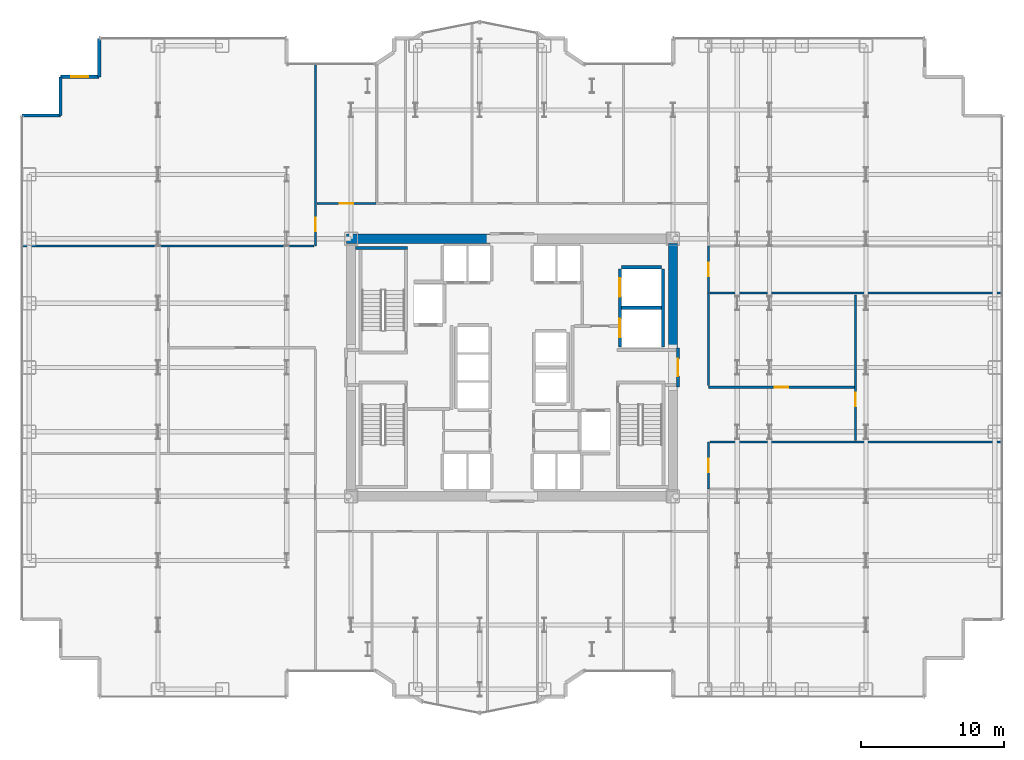
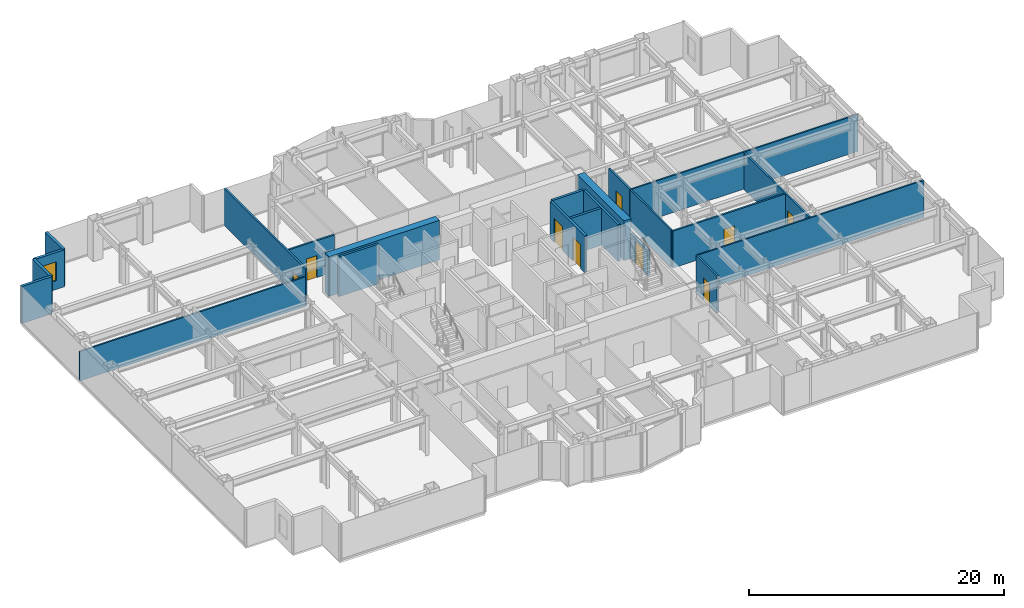
# One storey, part 23 of 26: 22 walls, 9 doors, 1 window, 10 openings.
"""IFC4 building model written with IfcOpenShell, lengths in metres."""

from ifc_helpers import new_model, si_unit, direction, frame, frame_2d, origin, place, context, subcontext, project, spatial, rectangle, extrude, source, transform, mapped, material, layer, layer_set, type_object, element, fill, save


model = new_model("IFC4")

# Units and contexts
model_context = context("Model", 3, precision=1e-05, world=origin(), true_north=direction((0.0, 1.0)))
body_context = subcontext(model_context, "Body", "Model", "MODEL_VIEW")
ifc_project = project(units=[si_unit("LENGTHUNIT", "METRE"), si_unit("AREAUNIT", "SQUARE_METRE"), si_unit("VOLUMEUNIT", "CUBIC_METRE"), si_unit("PLANEANGLEUNIT", "RADIAN"), si_unit("MASSUNIT", "GRAM", prefix="KILO")], contexts=[model_context])

# Site, building, storey
site_placement = place(None, origin())
site = spatial("IfcSite", under=ifc_project, at=site_placement, CompositionType="ELEMENT")
building_placement = place(site_placement, origin())
building = spatial("IfcBuilding", under=site, at=building_placement, Name="Nefas-Gora Pilgrimage Tower", CompositionType="ELEMENT")
storey_placement = place(building_placement, frame((0.0, 0.0, 59.60009765625)))
storey = spatial("IfcBuildingStorey", under=building, at=storey_placement, Name="L13", CompositionType="ELEMENT", Elevation=59.60009765625)

# Walls
ifc_material_1 = material(Name="Concrete C60/75", Category="concrete")
ifc_layer_1 = layer(ifc_material_1, 0.64990234375)
ifc_layer_set_1 = layer_set([ifc_layer_1], Name="Concrete C60/75")
wall_type_1 = type_object("IfcWallType", Name="SW-CORE-650", PredefinedType="SHEAR", material=ifc_layer_set_1)
shared_shape_1 = source(origin(), body_context, "Body", "SweptSolid", [
    extrude(rectangle(XDim=10.02490234375, YDim=0.64990234375, at=frame_2d((5.012451171875, 0.0))), origin(), (0.0, 0.0, 1.0), 3.7998046875),
])
wall_1_placement = place(storey_placement, frame((-11.574951171875, 9.0, 0.0), z_axis=(0.0, 0.0, 1.0), x_axis=(1.0, 0.0, 0.0)))
element("IfcWall", 1, at=wall_1_placement, inside=storey, type_object=wall_type_1, Name="L13 Core Shear Wall N-West", PredefinedType="SHEAR", context=body_context, shape_type="MappedRepresentation", body=[
    mapped(shared_shape_1, transform((0.0, 0.0, 0.0), x_axis=(1.0, 0.0, 0.0), y_axis=(0.0, 1.0, 0.0), z_axis=(0.0, 0.0, 1.0), scale=1.0)),
])
shared_shape_2 = source(origin(), body_context, "Body", "SweptSolid", [
    extrude(rectangle(XDim=7.324951171875, YDim=0.64990234375, at=frame_2d((3.66259765625, 0.0))), origin(), (0.0, 0.0, 1.0), 3.7998046875),
])
wall_2_placement = place(storey_placement, frame((11.25, 1.35009765625, 0.0), z_axis=(0.0, 0.0, 1.0), x_axis=(0.0, 1.0, 0.0)))
element("IfcWall", 2, at=wall_2_placement, inside=storey, type_object=wall_type_1, Name="L13 Core Shear Wall E-North", PredefinedType="SHEAR", context=body_context, shape_type="MappedRepresentation", body=[
    mapped(shared_shape_2, transform((0.0, 0.0, 0.0), x_axis=(1.0, 0.0, 0.0), y_axis=(0.0, 1.0, 0.0), z_axis=(0.0, 0.0, 1.0), scale=1.0)),
])
ifc_material_2 = material(Name="Precast concrete C45/55", Category="concrete")
ifc_layer_2 = layer(ifc_material_2, 0.239990234375)
ifc_layer_set_2 = layer_set([ifc_layer_2], Name="Precast concrete C45/55")
wall_type_2 = type_object("IfcWallType", Name="EW-SERR-240", PredefinedType="SHEAR", material=ifc_layer_set_2)
shared_shape_3 = source(origin(), body_context, "Body", "SweptSolid", [
    extrude(rectangle(XDim=2.699951171875, YDim=0.239990234375, at=frame_2d((1.35009765625, 0.0))), origin(), (0.0, 0.0, 1.0), 3.5498046875),
])
wall_3_placement = place(storey_placement, frame((-28.8701171875, 23.02001953125, 0.0), z_axis=(0.0, 0.0, 1.0), x_axis=(0.0, -1.0, 0.0)))
element("IfcWall", 3, at=wall_3_placement, inside=storey, type_object=wall_type_2, Name="L13 Serrated Corner Shear Pier Wall 20", PredefinedType="SHEAR", context=body_context, shape_type="MappedRepresentation", body=[
    mapped(shared_shape_3, transform((0.0, 0.0, 0.0), x_axis=(1.0, 0.0, 0.0), y_axis=(0.0, 1.0, 0.0), z_axis=(0.0, 0.0, 1.0), scale=1.0)),
])

# Wall, opening, window
wall_4_placement = place(storey_placement, frame((-28.8701171875, 20.320068359375, 0.0), z_axis=(0.0, 0.0, 1.0), x_axis=(-1.0, 0.0, 0.0)))
wall_4 = element("IfcWall", 4, at=wall_4_placement, inside=storey, type_object=wall_type_2, Name="L13 Serrated Corner Shear Pier Wall 21", PredefinedType="SHEAR", context=body_context, shape_type="MappedRepresentation", body=[
    mapped(shared_shape_3, transform((0.0, 0.0, 0.0), x_axis=(1.0, 0.0, 0.0), y_axis=(0.0, 1.0, 0.0), z_axis=(0.0, 0.0, 1.0), scale=1.0)),
])
opening_1_placement = place(wall_4_placement, frame((0.75, 0.0, 0.85009765625)))
opening_1 = element("IfcOpeningElement", 5, at=opening_1_placement, cuts=wall_4, Name="Opening W-V1", PredefinedType="OPENING", context=body_context, shape_type="SweptSolid", body=[
    extrude(rectangle(XDim=1.199951171875, YDim=1.800048828125, at=frame_2d((0.60009765625, 0.89990234375))), frame((0.0, 0.1298828125, 0.0), z_axis=(0.0, -1.0, 0.0), x_axis=(1.0, 0.0, 0.0)), (0.0, 0.0, 1.0), 0.260009765625),
])
ifc_material_3 = material(Name="Dark ceramic-fritted operable aluminium-glass window", Category="aluminium")
window_type = type_object("IfcWindowType", Name="WIN-VENT-1200x1800", PartitioningType="SINGLE_PANEL", PredefinedType="WINDOW", material=ifc_material_3)
shared_shape_4 = source(origin(), body_context, "Body", "SweptSolid", [
    extrude(rectangle(XDim=1.199951171875, YDim=1.800048828125, at=frame_2d((0.60009765625, 0.89990234375))), frame((0.0, 0.030029296875, 0.0), z_axis=(0.0, -1.0, 0.0), x_axis=(1.0, 0.0, 0.0)), (0.0, 0.0, 1.0), 0.06005859375),
])
window_placement = place(opening_1_placement, origin())
window = element("IfcWindow", 6, at=window_placement, inside=storey, type_object=window_type, Name="L13 Operable Parallel-Outswing Window 21", OverallHeight=1.800048828125, OverallWidth=1.199951171875, PartitioningType="SINGLE_PANEL", PredefinedType="WINDOW", context=body_context, shape_type="MappedRepresentation", body=[
    mapped(shared_shape_4, transform((0.0, 0.0, 0.0), x_axis=(1.0, 0.0, 0.0), y_axis=(0.0, 1.0, 0.0), z_axis=(0.0, 0.0, 1.0), scale=1.0)),
])
fill(opening_1, window)

# Walls
for number, where, z_axis, x_axis, name in (
    (7, (-31.570068359375, 20.320068359375, 0.0), (0.0, 0.0, 1.0), (0.0, -1.0, 0.0), "L13 Serrated Corner Shear Pier Wall 22"),
    (8, (-31.570068359375, 17.6201171875, 0.0), (0.0, 0.0, 1.0), (-1.0, 0.0, 0.0), "L13 Serrated Corner Shear Pier Wall 23"),
):
    element("IfcWall", number, at=place(storey_placement, frame(where, z_axis=z_axis, x_axis=x_axis)), inside=storey, type_object=wall_type_2, Name=name, PredefinedType="SHEAR", context=body_context, shape_type="MappedRepresentation", body=[
        mapped(shared_shape_3, transform((0.0, 0.0, 0.0), x_axis=(1.0, 0.0, 0.0), y_axis=(0.0, 1.0, 0.0), z_axis=(0.0, 0.0, 1.0), scale=1.0)),
    ])
ifc_material_4 = material(Name="Concrete C45/55", Category="concrete")
ifc_layer_3 = layer(ifc_material_4, 0.199951171875)
ifc_layer_set_3 = layer_set([ifc_layer_3], Name="Concrete C45/55")
wall_type_3 = type_object("IfcWallType", Name="IW-STAIR-200", PredefinedType="SOLIDWALL", material=ifc_layer_set_3)
shared_shape_5 = source(origin(), body_context, "Body", "SweptSolid", [
    extrude(rectangle(XDim=3.6298828125, YDim=0.199951171875, at=frame_2d((1.81494140625, 0.0))), origin(), (0.0, 0.0, 1.0), 3.7998046875),
])
wall_5_placement = place(storey_placement, frame((-7.300048828125, 8.35009765625, 0.0), z_axis=(0.0, 0.0, 1.0), x_axis=(-1.0, 0.0, 0.0)))
element("IfcWall", 9, at=wall_5_placement, inside=storey, type_object=wall_type_3, Name="L13 Stairwell Shear Wall ST-01-far", PredefinedType="SOLIDWALL", context=body_context, shape_type="MappedRepresentation", body=[
    mapped(shared_shape_5, transform((0.0, 0.0, 0.0), x_axis=(1.0, 0.0, 0.0), y_axis=(0.0, 1.0, 0.0), z_axis=(0.0, 0.0, 1.0), scale=1.0)),
])

# Wall, openings, doors
ifc_material_5 = material(Name="Concrete C40/50", Category="concrete")
ifc_layer_4 = layer(ifc_material_5, 0.219970703125)
ifc_layer_set_4 = layer_set([ifc_layer_4], Name="Concrete C40/50")
wall_type_4 = type_object("IfcWallType", Name="IW-SHAFT-220", PredefinedType="SOLIDWALL", material=ifc_layer_set_4)
shared_shape_6 = source(origin(), body_context, "Body", "SweptSolid", [
    extrude(rectangle(XDim=5.449951171875, YDim=0.219970703125, at=frame_2d((2.72509765625, 0.0))), origin(), (0.0, 0.0, 1.0), 3.534912109375),
])
wall_6_placement = place(storey_placement, frame((7.5400390625, 6.89990234375, 0.0), z_axis=(0.0, 0.0, 1.0), x_axis=(0.0, -1.0, 0.0)))
wall_6 = element("IfcWall", 10, at=wall_6_placement, inside=storey, type_object=wall_type_4, Name="L13 Hoistway Wall SL-01-02-W", PredefinedType="SOLIDWALL", context=body_context, shape_type="MappedRepresentation", body=[
    mapped(shared_shape_6, transform((0.0, 0.0, 0.0), x_axis=(1.0, 0.0, 0.0), y_axis=(0.0, 1.0, 0.0), z_axis=(0.0, 0.0, 1.0), scale=1.0)),
])
opening_2_placement = place(wall_6_placement, frame((3.5, 0.0, 0.0)))
opening_2 = element("IfcOpeningElement", 11, at=opening_2_placement, cuts=wall_6, Name="Opening LD-SV", PredefinedType="OPENING", context=body_context, shape_type="SweptSolid", body=[
    extrude(rectangle(XDim=1.300048828125, YDim=2.300048828125, at=frame_2d((0.64990234375, 1.14990234375))), frame((0.0, 0.119873046875, 0.0), z_axis=(0.0, -1.0, 0.0), x_axis=(1.0, 0.0, 0.0)), (0.0, 0.0, 1.0), 0.239990234375),
])
opening_3_placement = place(wall_6_placement, frame((0.64990234375, 0.0, 0.0)))
opening_3 = element("IfcOpeningElement", 12, at=opening_3_placement, cuts=wall_6, Name="Opening LD-SV", PredefinedType="OPENING", context=body_context, shape_type="SweptSolid", body=[
    extrude(rectangle(XDim=1.300048828125, YDim=2.300048828125, at=frame_2d((0.64990234375, 1.14990234375))), frame((0.0, 0.119873046875, 0.0), z_axis=(0.0, -1.0, 0.0), x_axis=(1.0, 0.0, 0.0)), (0.0, 0.0, 1.0), 0.239990234375),
])
ifc_material_6 = material(Name="Heavy goods sliding lift landing door")
door_type_1 = type_object("IfcDoorType", Name="DR-LIFT-SERV-1300", OperationType="SLIDING_TO_RIGHT", PredefinedType="DOOR", material=ifc_material_6)
shared_shape_7 = source(origin(), body_context, "Body", "SweptSolid", [
    extrude(rectangle(XDim=1.300048828125, YDim=2.300048828125, at=frame_2d((0.64990234375, 1.14990234375))), frame((0.0, 0.02490234375, 0.0), z_axis=(0.0, -1.0, 0.0), x_axis=(1.0, 0.0, 0.0)), (0.0, 0.0, 1.0), 0.050048828125),
])
door_1_placement = place(opening_2_placement, origin())
door_1 = element("IfcDoor", 13, at=door_1_placement, inside=storey, type_object=door_type_1, Name="L13 Sliding Lift Landing Door SL-01", OperationType="SLIDING_TO_RIGHT", OverallHeight=2.300048828125, OverallWidth=1.300048828125, PredefinedType="DOOR", context=body_context, shape_type="MappedRepresentation", body=[
    mapped(shared_shape_7, transform((0.0, 0.0, 0.0), x_axis=(1.0, 0.0, 0.0), y_axis=(0.0, 1.0, 0.0), z_axis=(0.0, 0.0, 1.0), scale=1.0)),
])
fill(opening_2, door_1)
door_2_placement = place(opening_3_placement, origin())
door_2 = element("IfcDoor", 14, at=door_2_placement, inside=storey, type_object=door_type_1, Name="L13 Sliding Lift Landing Door SL-02", OperationType="SLIDING_TO_RIGHT", OverallHeight=2.300048828125, OverallWidth=1.300048828125, PredefinedType="DOOR", context=body_context, shape_type="MappedRepresentation", body=[
    mapped(shared_shape_7, transform((0.0, 0.0, 0.0), x_axis=(1.0, 0.0, 0.0), y_axis=(0.0, 1.0, 0.0), z_axis=(0.0, 0.0, 1.0), scale=1.0)),
])
fill(opening_3, door_2)

# Walls
wall_7_placement = place(storey_placement, frame((10.56005859375, 1.449951171875, 0.0), z_axis=(0.0, 0.0, 1.0), x_axis=(0.0, 1.0, 0.0)))
element("IfcWall", 15, at=wall_7_placement, inside=storey, type_object=wall_type_4, Name="L13 Hoistway Wall SL-01-02-E", PredefinedType="SOLIDWALL", context=body_context, shape_type="MappedRepresentation", body=[
    mapped(shared_shape_6, transform((0.0, 0.0, 0.0), x_axis=(1.0, 0.0, 0.0), y_axis=(0.0, 1.0, 0.0), z_axis=(0.0, 0.0, 1.0), scale=1.0)),
])
shared_shape_8 = source(origin(), body_context, "Body", "SweptSolid", [
    extrude(rectangle(XDim=2.780029296875, YDim=0.219970703125, at=frame_2d((1.39013671875, 0.0))), origin(), (0.0, 0.0, 1.0), 3.534912109375),
])
for number, where, z_axis, x_axis, name in (
    (16, (7.659912109375, 4.175048828125, 0.0), (0.0, 0.0, 1.0), (1.0, 0.0, 0.0), "L13 Hoistway Wall SL-01-02-DIV"),
    (17, (10.43994140625, 7.010009765625, 0.0), (0.0, 0.0, 1.0), (-1.0, 0.0, 0.0), "L13 Hoistway Wall SL-02-N"),
):
    element("IfcWall", number, at=place(storey_placement, frame(where, z_axis=z_axis, x_axis=x_axis)), inside=storey, type_object=wall_type_4, Name=name, PredefinedType="SOLIDWALL", context=body_context, shape_type="MappedRepresentation", body=[
        mapped(shared_shape_8, transform((0.0, 0.0, 0.0), x_axis=(1.0, 0.0, 0.0), y_axis=(0.0, 1.0, 0.0), z_axis=(0.0, 0.0, 1.0), scale=1.0)),
    ])

# Wall, opening, door
ifc_material_7 = material(Name="Gypsum acoustic stud partition")
ifc_layer_5 = layer(ifc_material_7, 0.159912109375)
ifc_layer_set_5 = layer_set([ifc_layer_5], Name="Gypsum acoustic stud partition")
wall_type_5 = type_object("IfcWallType", Name="IW-CORR-160", PredefinedType="PARTITIONING", material=ifc_layer_set_5)
shared_shape_9 = source(origin(), body_context, "Body", "SweptSolid", [
    extrude(rectangle(XDim=10.25, YDim=0.159912109375, at=frame_2d((5.125, 0.0))), origin(), (0.0, 0.0, 1.0), 3.534912109375),
])
wall_8_placement = place(storey_placement, frame((13.72998046875, -1.3798828125, 0.0), z_axis=(0.0, 0.0, 1.0), x_axis=(1.0, 0.0, 0.0)))
wall_8 = element("IfcWall", 18, at=wall_8_placement, inside=storey, type_object=wall_type_5, Name="L13 Pilgrim Contemplative Lounge Partition Wall 39", PredefinedType="PARTITIONING", context=body_context, shape_type="MappedRepresentation", body=[
    mapped(shared_shape_9, transform((0.0, 0.0, 0.0), x_axis=(1.0, 0.0, 0.0), y_axis=(0.0, 1.0, 0.0), z_axis=(0.0, 0.0, 1.0), scale=1.0)),
])
opening_4_placement = place(wall_8_placement, frame((4.64990234375, 0.0, 0.0)))
opening_4 = element("IfcOpeningElement", 19, at=opening_4_placement, cuts=wall_8, Name="Opening ID-GR1", PredefinedType="OPENING", context=body_context, shape_type="SweptSolid", body=[
    extrude(rectangle(XDim=0.949951171875, YDim=2.10009765625, at=frame_2d((0.47509765625, 1.050048828125))), frame((0.0, 0.08984375, 0.0), z_axis=(0.0, -1.0, 0.0), x_axis=(1.0, 0.0, 0.0)), (0.0, 0.0, 1.0), 0.179931640625),
])
ifc_material_8 = material(Name="Solid core oak fire-rated guest entrance door")
door_type_2 = type_object("IfcDoorType", Name="DR-INT-GUEST-950", OperationType="NOTDEFINED", PredefinedType="DOOR", material=ifc_material_8)
shared_shape_10 = source(origin(), body_context, "Body", "SweptSolid", [
    extrude(rectangle(XDim=0.949951171875, YDim=2.10009765625, at=frame_2d((0.47509765625, 1.050048828125))), frame((0.0, 0.02490234375, 0.0), z_axis=(0.0, -1.0, 0.0), x_axis=(1.0, 0.0, 0.0)), (0.0, 0.0, 1.0), 0.050048828125),
])
door_3_placement = place(opening_4_placement, origin())
door_3 = element("IfcDoor", 20, at=door_3_placement, inside=storey, type_object=door_type_2, Name="L13 Pilgrim Contemplative Lounge Door 17", OperationType="SINGLE_SWING_LEFT", OverallHeight=2.10009765625, OverallWidth=0.949951171875, PredefinedType="DOOR", context=body_context, shape_type="MappedRepresentation", body=[
    mapped(shared_shape_10, transform((0.0, 0.0, 0.0), x_axis=(1.0, 0.0, 0.0), y_axis=(0.0, 1.0, 0.0), z_axis=(0.0, 0.0, 1.0), scale=1.0)),
])
fill(opening_4, door_3)

# Wall
ifc_material_9 = material(Name="Gypsum twin-stud partition")
ifc_layer_6 = layer(ifc_material_9, 0.139892578125)
ifc_layer_set_6 = layer_set([ifc_layer_6], Name="Gypsum twin-stud partition")
wall_type_6 = type_object("IfcWallType", Name="IW-UNIT-140", PredefinedType="PARTITIONING", material=ifc_layer_set_6)
shared_shape_11 = source(origin(), body_context, "Body", "SweptSolid", [
    extrude(rectangle(XDim=6.465087890625, YDim=0.139892578125, at=frame_2d((3.232421875, 0.0))), origin(), (0.0, 0.0, 1.0), 3.534912109375),
])
wall_9_placement = place(storey_placement, frame((13.739990234375, -1.260009765625, 0.0), z_axis=(0.0, 0.0, 1.0), x_axis=(0.0, 1.0, 0.0)))
element("IfcWall", 21, at=wall_9_placement, inside=storey, type_object=wall_type_6, Name="L13 Pilgrim Contemplative Lounge Partition Wall 40", PredefinedType="PARTITIONING", context=body_context, shape_type="MappedRepresentation", body=[
    mapped(shared_shape_11, transform((0.0, 0.0, 0.0), x_axis=(1.0, 0.0, 0.0), y_axis=(0.0, 1.0, 0.0), z_axis=(0.0, 0.0, 1.0), scale=1.0)),
])

# Wall, opening, door
shared_shape_12 = source(origin(), body_context, "Body", "SweptSolid", [
    extrude(rectangle(XDim=4.125, YDim=0.159912109375, at=frame_2d((2.0625, 0.0))), origin(), (0.0, 0.0, 1.0), 3.534912109375),
])
wall_10_placement = place(storey_placement, frame((-13.6201171875, 11.469970703125, 0.0), z_axis=(0.0, 0.0, 1.0), x_axis=(1.0, 0.0, 0.0)))
wall_10 = element("IfcWall", 22, at=wall_10_placement, inside=storey, type_object=wall_type_5, Name="L13 Pilgrim Contemplative Lounge Partition Wall 46", PredefinedType="PARTITIONING", context=body_context, shape_type="MappedRepresentation", body=[
    mapped(shared_shape_12, transform((0.0, 0.0, 0.0), x_axis=(1.0, 0.0, 0.0), y_axis=(0.0, 1.0, 0.0), z_axis=(0.0, 0.0, 1.0), scale=1.0)),
])
opening_5_placement = place(wall_10_placement, frame((1.58740234375, 0.0, 0.0)))
opening_5 = element("IfcOpeningElement", 23, at=opening_5_placement, cuts=wall_10, Name="Opening ID-GR1", PredefinedType="OPENING", context=body_context, shape_type="SweptSolid", body=[
    extrude(rectangle(XDim=0.949951171875, YDim=2.10009765625, at=frame_2d((0.47509765625, 1.050048828125))), frame((0.0, 0.08984375, 0.0), z_axis=(0.0, -1.0, 0.0), x_axis=(1.0, 0.0, 0.0)), (0.0, 0.0, 1.0), 0.179931640625),
])
door_4_placement = place(opening_5_placement, origin())
door_4 = element("IfcDoor", 24, at=door_4_placement, inside=storey, type_object=door_type_2, Name="L13 Pilgrim Contemplative Lounge Door 21", OperationType="SINGLE_SWING_LEFT", OverallHeight=2.10009765625, OverallWidth=0.949951171875, PredefinedType="DOOR", context=body_context, shape_type="MappedRepresentation", body=[
    mapped(shared_shape_10, transform((0.0, 0.0, 0.0), x_axis=(1.0, 0.0, 0.0), y_axis=(0.0, 1.0, 0.0), z_axis=(0.0, 0.0, 1.0), scale=1.0)),
])
fill(opening_5, door_4)

# Walls
shared_shape_13 = source(origin(), body_context, "Body", "SweptSolid", [
    extrude(rectangle(XDim=20.429931640625, YDim=0.139892578125, at=frame_2d((10.21484375, 0.0))), origin(), (0.0, 0.0, 1.0), 3.534912109375),
])
wall_11_placement = place(storey_placement, frame((13.860107421875, -5.205078125, 0.0), z_axis=(0.0, 0.0, 1.0), x_axis=(1.0, 0.0, 0.0)))
element("IfcWall", 25, at=wall_11_placement, inside=storey, type_object=wall_type_6, Name="L13 Pilgrim Contemplative Lounge Partition Wall 38", PredefinedType="PARTITIONING", context=body_context, shape_type="MappedRepresentation", body=[
    mapped(shared_shape_13, transform((0.0, 0.0, 0.0), x_axis=(1.0, 0.0, 0.0), y_axis=(0.0, 1.0, 0.0), z_axis=(0.0, 0.0, 1.0), scale=1.0)),
])
shared_shape_14 = source(origin(), body_context, "Body", "SweptSolid", [
    extrude(rectangle(XDim=20.43994140625, YDim=0.139892578125, at=frame_2d((10.219970703125, 0.0))), origin(), (0.0, 0.0, 1.0), 3.534912109375),
])
wall_12_placement = place(storey_placement, frame((13.85009765625, 5.195068359375, 0.0), z_axis=(0.0, 0.0, 1.0), x_axis=(1.0, 0.0, 0.0)))
element("IfcWall", 26, at=wall_12_placement, inside=storey, type_object=wall_type_6, Name="L13 Pilgrim Contemplative Lounge Partition Wall 41", PredefinedType="PARTITIONING", context=body_context, shape_type="MappedRepresentation", body=[
    mapped(shared_shape_14, transform((0.0, 0.0, 0.0), x_axis=(1.0, 0.0, 0.0), y_axis=(0.0, 1.0, 0.0), z_axis=(0.0, 0.0, 1.0), scale=1.0)),
])
shared_shape_15 = source(origin(), body_context, "Body", "SweptSolid", [
    extrude(rectangle(XDim=20.429931640625, YDim=0.139892578125, at=frame_2d((10.21484375, 0.0))), origin(), (0.0, 0.0, 1.0), 2.824951171875),
])
wall_13_placement = place(storey_placement, frame((-34.2900390625, 8.49755859375, 0.0), z_axis=(0.0, 0.0, 1.0), x_axis=(1.0, 0.0, 0.0)))
element("IfcWall", 27, at=wall_13_placement, inside=storey, type_object=wall_type_6, Name="L13 Pilgrim Tea and Beverage Pantry Partition Wall 31", PredefinedType="PARTITIONING", context=body_context, shape_type="MappedRepresentation", body=[
    mapped(shared_shape_15, transform((0.0, 0.0, 0.0), x_axis=(1.0, 0.0, 0.0), y_axis=(0.0, 1.0, 0.0), z_axis=(0.0, 0.0, 1.0), scale=1.0)),
])

# Wall, opening, door
ifc_material_10 = material(Name="Gypsum fire-rated shaftwall")
ifc_layer_7 = layer(ifc_material_10, 0.199951171875)
ifc_layer_set_7 = layer_set([ifc_layer_7], Name="Gypsum fire-rated shaftwall")
wall_type_7 = type_object("IfcWallType", Name="IW-FFLOB-200", PredefinedType="PARTITIONING", material=ifc_layer_set_7)
shared_shape_16 = source(origin(), body_context, "Body", "SweptSolid", [
    extrude(rectangle(XDim=2.7001953125, YDim=0.199951171875, at=frame_2d((1.35009765625, 0.0))), origin(), (0.0, 0.0, 1.0), 2.4248046875),
])
wall_14_placement = place(storey_placement, frame((11.60009765625, -1.35009765625, 0.0), z_axis=(0.0, 0.0, 1.0), x_axis=(0.0, 1.0, 0.0)))
wall_14 = element("IfcWall", 28, at=wall_14_placement, inside=storey, type_object=wall_type_7, Name="L13 FF Lobby East Portal Wall 8", PredefinedType="PARTITIONING", context=body_context, shape_type="MappedRepresentation", body=[
    mapped(shared_shape_16, transform((0.0, 0.0, 0.0), x_axis=(1.0, 0.0, 0.0), y_axis=(0.0, 1.0, 0.0), z_axis=(0.0, 0.0, 1.0), scale=1.0)),
])
opening_6_placement = place(wall_14_placement, frame((0.75, 0.0, 0.0)))
opening_6 = element("IfcOpeningElement", 29, at=opening_6_placement, cuts=wall_14, Name="Opening ID-FF1", PredefinedType="OPENING", context=body_context, shape_type="SweptSolid", body=[
    extrude(rectangle(XDim=1.199951171875, YDim=2.14990234375, at=frame_2d((0.60009765625, 1.074951171875))), frame((0.0, 0.10986328125, 0.0), z_axis=(0.0, -1.0, 0.0), x_axis=(1.0, 0.0, 0.0)), (0.0, 0.0, 1.0), 0.219970703125),
])
ifc_material_11 = material(Name="Smoke-sealed steel firefighting lobby door", Category="steel")
door_type_3 = type_object("IfcDoorType", Name="DR-INT-FFLOB-1200", OperationType="NOTDEFINED", PredefinedType="DOOR", material=ifc_material_11)
shared_shape_17 = source(origin(), body_context, "Body", "SweptSolid", [
    extrude(rectangle(XDim=1.199951171875, YDim=2.14990234375, at=frame_2d((0.60009765625, 1.074951171875))), frame((0.0, 0.02490234375, 0.0), z_axis=(0.0, -1.0, 0.0), x_axis=(1.0, 0.0, 0.0)), (0.0, 0.0, 1.0), 0.050048828125),
])
door_5_placement = place(opening_6_placement, origin())
door_5 = element("IfcDoor", 30, at=door_5_placement, inside=storey, type_object=door_type_3, Name="L13 FF Lobby East Portal Door 2", OperationType="SINGLE_SWING_RIGHT", OverallHeight=2.14990234375, OverallWidth=1.199951171875, PredefinedType="DOOR", context=body_context, shape_type="MappedRepresentation", body=[
    mapped(shared_shape_17, transform((0.0, 0.0, 0.0), x_axis=(1.0, 0.0, 0.0), y_axis=(0.0, 1.0, 0.0), z_axis=(0.0, 0.0, 1.0), scale=1.0)),
])
fill(opening_6, door_5)

shared_shape_18 = source(origin(), body_context, "Body", "SweptSolid", [
    extrude(rectangle(XDim=12.75244140625, YDim=0.159912109375, at=frame_2d((6.376220703125, 0.0))), origin(), (0.0, 0.0, 1.0), 3.534912109375),
])
wall_15_placement = place(storey_placement, frame((-13.739990234375, 8.487548828125, 0.0), z_axis=(0.0, 0.0, 1.0), x_axis=(0.0, 1.0, 0.0)))
wall_15 = element("IfcWall", 31, at=wall_15_placement, inside=storey, type_object=wall_type_5, Name="L13 Pilgrim Tea and Beverage Pantry Partition Wall 30", PredefinedType="PARTITIONING", context=body_context, shape_type="MappedRepresentation", body=[
    mapped(shared_shape_18, transform((0.0, 0.0, 0.0), x_axis=(1.0, 0.0, 0.0), y_axis=(0.0, 1.0, 0.0), z_axis=(0.0, 0.0, 1.0), scale=1.0)),
])
opening_7_placement = place(wall_15_placement, frame((1.0361328125, 0.0, 0.0)))
opening_7 = element("IfcOpeningElement", 32, at=opening_7_placement, cuts=wall_15, Name="Opening ID-GR1", PredefinedType="OPENING", context=body_context, shape_type="SweptSolid", body=[
    extrude(rectangle(XDim=0.949951171875, YDim=2.10009765625, at=frame_2d((0.47509765625, 1.050048828125))), frame((0.0, 0.08984375, 0.0), z_axis=(0.0, -1.0, 0.0), x_axis=(1.0, 0.0, 0.0)), (0.0, 0.0, 1.0), 0.179931640625),
])
door_6_placement = place(opening_7_placement, origin())
door_6 = element("IfcDoor", 33, at=door_6_placement, inside=storey, type_object=door_type_2, Name="L13 Pilgrim Tea and Beverage Pantry Door 12", OperationType="SINGLE_SWING_RIGHT", OverallHeight=2.10009765625, OverallWidth=0.949951171875, PredefinedType="DOOR", context=body_context, shape_type="MappedRepresentation", body=[
    mapped(shared_shape_10, transform((0.0, 0.0, 0.0), x_axis=(1.0, 0.0, 0.0), y_axis=(0.0, 1.0, 0.0), z_axis=(0.0, 0.0, 1.0), scale=1.0)),
])
fill(opening_7, door_6)

shared_shape_19 = source(origin(), body_context, "Body", "SweptSolid", [
    extrude(rectangle(XDim=3.309814453125, YDim=0.159912109375, at=frame_2d((1.65478515625, 0.0))), origin(), (0.0, 0.0, 1.0), 3.534912109375),
])
wall_16_placement = place(storey_placement, frame((13.739990234375, -8.5048828125, 0.0), z_axis=(0.0, 0.0, 1.0), x_axis=(0.0, 1.0, 0.0)))
wall_16 = element("IfcWall", 34, at=wall_16_placement, inside=storey, type_object=wall_type_5, Name="L13 Pilgrim Contemplative Lounge Partition Wall 37", PredefinedType="PARTITIONING", context=body_context, shape_type="MappedRepresentation", body=[
    mapped(shared_shape_19, transform((0.0, 0.0, 0.0), x_axis=(1.0, 0.0, 0.0), y_axis=(0.0, 1.0, 0.0), z_axis=(0.0, 0.0, 1.0), scale=1.0)),
])
opening_8_placement = place(wall_16_placement, frame((1.179931640625, 0.0, 0.0)))
opening_8 = element("IfcOpeningElement", 35, at=opening_8_placement, cuts=wall_16, Name="Opening ID-GR1", PredefinedType="OPENING", context=body_context, shape_type="SweptSolid", body=[
    extrude(rectangle(XDim=0.949951171875, YDim=2.10009765625, at=frame_2d((0.47509765625, 1.050048828125))), frame((0.0, 0.08984375, 0.0), z_axis=(0.0, -1.0, 0.0), x_axis=(1.0, 0.0, 0.0)), (0.0, 0.0, 1.0), 0.179931640625),
])
door_7_placement = place(opening_8_placement, origin())
door_7 = element("IfcDoor", 36, at=door_7_placement, inside=storey, type_object=door_type_2, Name="L13 Pilgrim Contemplative Lounge Door 16", OperationType="SINGLE_SWING_RIGHT", OverallHeight=2.10009765625, OverallWidth=0.949951171875, PredefinedType="DOOR", context=body_context, shape_type="MappedRepresentation", body=[
    mapped(shared_shape_10, transform((0.0, 0.0, 0.0), x_axis=(1.0, 0.0, 0.0), y_axis=(0.0, 1.0, 0.0), z_axis=(0.0, 0.0, 1.0), scale=1.0)),
])
fill(opening_8, door_7)

wall_17_placement = place(storey_placement, frame((13.739990234375, 5.195068359375, 0.0), z_axis=(0.0, 0.0, 1.0), x_axis=(0.0, 1.0, 0.0)))
wall_17 = element("IfcWall", 37, at=wall_17_placement, inside=storey, type_object=wall_type_5, Name="L13 Pilgrim Contemplative Lounge Partition Wall 43", PredefinedType="PARTITIONING", context=body_context, shape_type="MappedRepresentation", body=[
    mapped(shared_shape_19, transform((0.0, 0.0, 0.0), x_axis=(1.0, 0.0, 0.0), y_axis=(0.0, 1.0, 0.0), z_axis=(0.0, 0.0, 1.0), scale=1.0)),
])
opening_9_placement = place(wall_17_placement, frame((1.179931640625, 0.0, 0.0)))
opening_9 = element("IfcOpeningElement", 38, at=opening_9_placement, cuts=wall_17, Name="Opening ID-GR1", PredefinedType="OPENING", context=body_context, shape_type="SweptSolid", body=[
    extrude(rectangle(XDim=0.949951171875, YDim=2.10009765625, at=frame_2d((0.47509765625, 1.050048828125))), frame((0.0, 0.08984375, 0.0), z_axis=(0.0, -1.0, 0.0), x_axis=(1.0, 0.0, 0.0)), (0.0, 0.0, 1.0), 0.179931640625),
])
door_8_placement = place(opening_9_placement, origin())
door_8 = element("IfcDoor", 39, at=door_8_placement, inside=storey, type_object=door_type_2, Name="L13 Pilgrim Contemplative Lounge Door 19", OperationType="SINGLE_SWING_LEFT", OverallHeight=2.10009765625, OverallWidth=0.949951171875, PredefinedType="DOOR", context=body_context, shape_type="MappedRepresentation", body=[
    mapped(shared_shape_10, transform((0.0, 0.0, 0.0), x_axis=(1.0, 0.0, 0.0), y_axis=(0.0, 1.0, 0.0), z_axis=(0.0, 0.0, 1.0), scale=1.0)),
])
fill(opening_9, door_8)

shared_shape_20 = source(origin(), body_context, "Body", "SweptSolid", [
    extrude(rectangle(XDim=10.179931640625, YDim=0.159912109375, at=frame_2d((5.08984375, 0.0))), origin(), (0.0, 0.0, 1.0), 3.534912109375),
])
wall_18_placement = place(storey_placement, frame((24.02001953125, -5.094970703125, 0.0), z_axis=(0.0, 0.0, 1.0), x_axis=(0.0, 1.0, 0.0)))
wall_18 = element("IfcWall", 40, at=wall_18_placement, inside=storey, type_object=wall_type_5, Name="L13 Pilgrim Contemplative Lounge Partition Wall 42", PredefinedType="PARTITIONING", context=body_context, shape_type="MappedRepresentation", body=[
    mapped(shared_shape_20, transform((0.0, 0.0, 0.0), x_axis=(1.0, 0.0, 0.0), y_axis=(0.0, 1.0, 0.0), z_axis=(0.0, 0.0, 1.0), scale=1.0)),
])
opening_10_placement = place(wall_18_placement, frame((2.3701171875, 0.0, 0.0)))
opening_10 = element("IfcOpeningElement", 41, at=opening_10_placement, cuts=wall_18, Name="Opening ID-GR1", PredefinedType="OPENING", context=body_context, shape_type="SweptSolid", body=[
    extrude(rectangle(XDim=0.949951171875, YDim=2.10009765625, at=frame_2d((0.47509765625, 1.050048828125))), frame((0.0, 0.08984375, 0.0), z_axis=(0.0, -1.0, 0.0), x_axis=(1.0, 0.0, 0.0)), (0.0, 0.0, 1.0), 0.179931640625),
])
door_9_placement = place(opening_10_placement, origin())
door_9 = element("IfcDoor", 42, at=door_9_placement, inside=storey, type_object=door_type_2, Name="L13 Pilgrim Contemplative Lounge Door 18", OperationType="SINGLE_SWING_RIGHT", OverallHeight=2.10009765625, OverallWidth=0.949951171875, PredefinedType="DOOR", context=body_context, shape_type="MappedRepresentation", body=[
    mapped(shared_shape_10, transform((0.0, 0.0, 0.0), x_axis=(1.0, 0.0, 0.0), y_axis=(0.0, 1.0, 0.0), z_axis=(0.0, 0.0, 1.0), scale=1.0)),
])
fill(opening_10, door_9)

save(model, "model.ifc")
